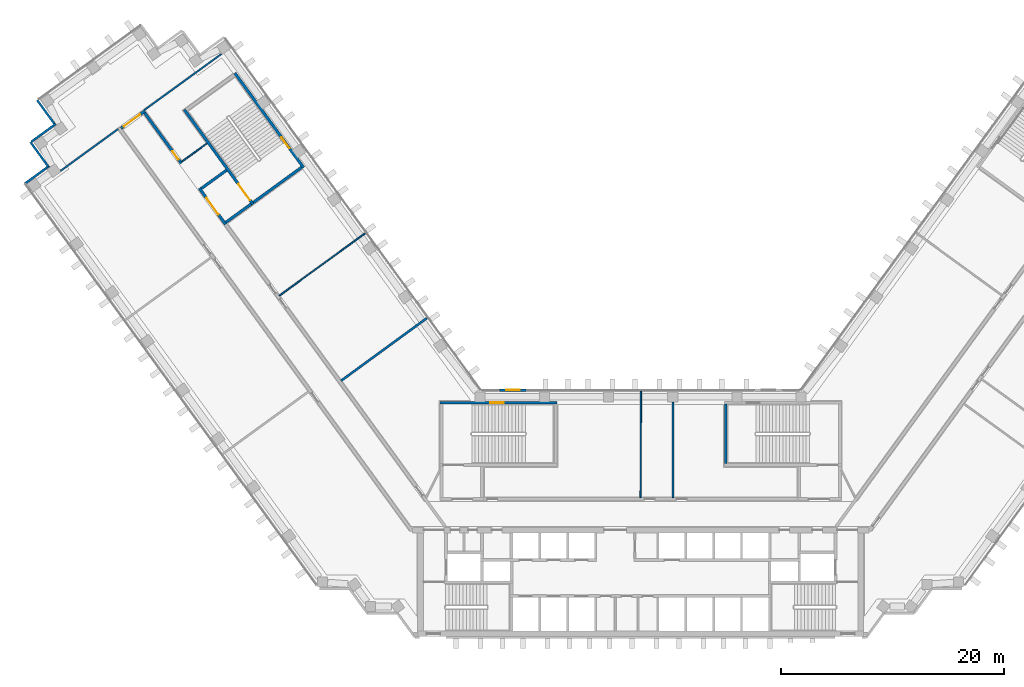
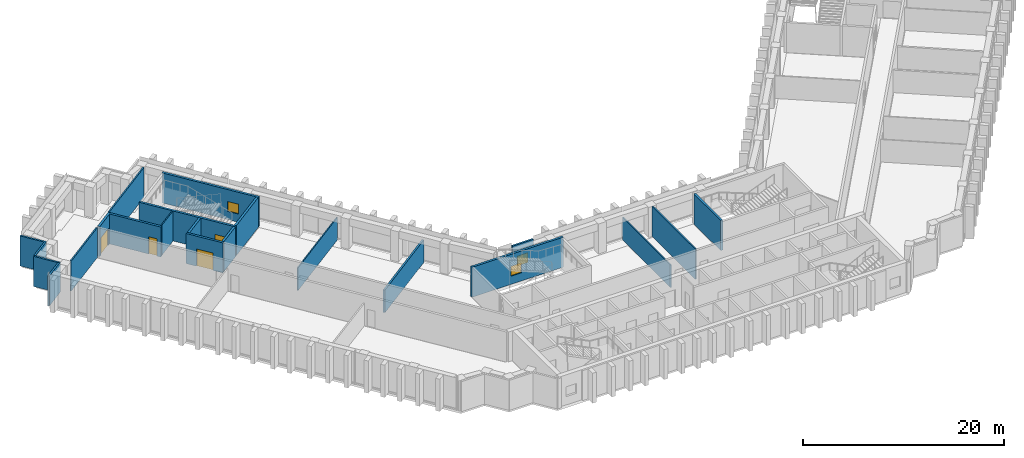
# One storey, part 9 of 15: 22 walls, 4 doors, 3 windows, 7 openings.
"""IFC4 building model written with IfcOpenShell, lengths in metres."""

from ifc_helpers import new_model, si_unit, direction, frame, frame_2d, origin, place, context, subcontext, project, spatial, rectangle, extrude, material, layer, layer_set, type_object, element, fill, save


model = new_model("IFC4")

# Units and contexts
model_context = context("Model", 3, precision=1e-05, world=origin(), true_north=direction((0.0, 1.0)))
body_context = subcontext(model_context, "Body", "Model", "MODEL_VIEW")
ifc_project = project(units=[si_unit("LENGTHUNIT", "METRE"), si_unit("AREAUNIT", "SQUARE_METRE"), si_unit("VOLUMEUNIT", "CUBIC_METRE"), si_unit("PLANEANGLEUNIT", "RADIAN"), si_unit("MASSUNIT", "GRAM", prefix="KILO")], contexts=[model_context])

# Site, building, storey
site_placement = place(None, origin())
site = spatial("IfcSite", under=ifc_project, at=site_placement, CompositionType="ELEMENT")
building_placement = place(site_placement, origin())
building = spatial("IfcBuilding", under=site, at=building_placement, Name="Quipu Civic Tower", CompositionType="ELEMENT")
storey_placement = place(building_placement, frame((0.0, 0.0, 31.0)))
storey = spatial("IfcBuildingStorey", under=building, at=storey_placement, Name="L06", CompositionType="ELEMENT", Elevation=31.0)

# Walls
ifc_material_1 = material(Name="Double gypsum plasterboard with mineral wool")
ifc_layer_1 = layer(ifc_material_1, 0.14990234375)
ifc_layer_set_1 = layer_set([ifc_layer_1], Name="Double gypsum plasterboard with mineral wool")
wall_type_1 = type_object("IfcWallType", Name="Acoustic partition 150 plasterboard", PredefinedType="PARTITIONING", material=ifc_layer_set_1)
wall_1_placement = place(storey_placement, frame((-37.614013671875, 41.2568359375, 0.0), z_axis=(0.0, 0.0, 1.0), x_axis=(-0.808991595707, -0.587820208972, 0.0)))
element("IfcWall", 1, at=wall_1_placement, inside=storey, type_object=wall_type_1, Name="Partition P07", PredefinedType="PARTITIONING", context=body_context, shape_type="SweptSolid", body=[
    extrude(rectangle(XDim=8.550537109375, YDim=0.14990234375, at=frame_2d((4.275390625, 0.0))), origin(), (0.0, 0.0, 1.0), 3.64990234375),
])
wall_2_placement = place(storey_placement, frame((-46.877197265625, 34.52587890625, 0.0), z_axis=(0.0, 0.0, 1.0), x_axis=(-0.808993566199, -0.587817497059, 0.0)))
element("IfcWall", 2, at=wall_2_placement, inside=storey, type_object=wall_type_1, Name="Partition P10", PredefinedType="PARTITIONING", context=body_context, shape_type="SweptSolid", body=[
    extrude(rectangle(XDim=6.39453125, YDim=0.14990234375, at=frame_2d((3.197265625, 0.0))), origin(), (0.0, 0.0, 1.0), 3.64990234375),
])
wall_3_placement = place(storey_placement, frame((2.89892578125, 10.044921875, 0.0), z_axis=(0.0, 0.0, 1.0), x_axis=(0.0, -1.0, 0.0)))
element("IfcWall", 3, at=wall_3_placement, inside=storey, type_object=wall_type_1, Name="Partition P14", PredefinedType="PARTITIONING", context=body_context, shape_type="SweptSolid", body=[
    extrude(rectangle(XDim=8.594970703125, YDim=0.14990234375, at=frame_2d((4.29736328125, 0.0))), origin(), (0.0, 0.0, 1.0), 3.64990234375),
])
ifc_material_2 = material(Name="Fired clay blockwork", Category="masonry")
ifc_layer_2 = layer(ifc_material_2, 0.199951171875)
ifc_layer_set_2 = layer_set([ifc_layer_2], Name="Fired clay blockwork")
wall_type_2 = type_object("IfcWallType", Name="Blockwork wall 200", PredefinedType="SOLIDWALL", material=ifc_layer_set_2)
wall_4_placement = place(storey_placement, frame((-26.882080078125, 11.93994140625, 0.0), z_axis=(0.0, 0.0, 1.0), x_axis=(0.807664588563, 0.589642190131, 0.0)))
element("IfcWall", 4, at=wall_4_placement, inside=storey, type_object=wall_type_2, Name="Partition P08", PredefinedType="SOLIDWALL", context=body_context, shape_type="SweptSolid", body=[
    extrude(rectangle(XDim=9.549560546875, YDim=0.199951171875, at=frame_2d((4.77490234375, 0.0))), origin(), (0.0, 0.0, 1.0), 2.75),
])

# Wall, opening, window
ifc_material_3 = material(Name="Concrete C70/85", Category="concrete")
ifc_layer_3 = layer(ifc_material_3, 0.25)
ifc_layer_set_3 = layer_set([ifc_layer_3], Name="Concrete C70/85")
wall_type_3 = type_object("IfcWallType", Name="Core wall 250", PredefinedType="SHEAR", material=ifc_layer_set_3)
wall_5_placement = place(storey_placement, frame((-18.0, 9.97509765625, 0.0), z_axis=(0.0, 0.0, 1.0), x_axis=(1.0, 0.0, 0.0)))
wall_5 = element("IfcWall", 5, at=wall_5_placement, inside=storey, type_object=wall_type_3, Name="Core wall", PredefinedType="SHEAR", context=body_context, shape_type="SweptSolid", body=[
    extrude(rectangle(XDim=10.5, YDim=0.25, at=frame_2d((5.25, 0.0))), origin(), (0.0, 0.0, 1.0), 3.64990234375),
])
opening_1_placement = place(wall_5_placement, frame((4.5, 0.0, 1.0)))
opening_1 = element("IfcOpeningElement", 6, at=opening_1_placement, cuts=wall_5, Name="Opening SV-3", PredefinedType="OPENING", context=body_context, shape_type="SweptSolid", body=[
    extrude(rectangle(XDim=1.199951171875, YDim=1.199951171875, at=frame_2d((0.60009765625, 0.60009765625))), frame((0.0, 0.135009765625, 0.0), z_axis=(0.0, -1.0, 0.0), x_axis=(1.0, 0.0, 0.0)), (0.0, 0.0, 1.0), 0.27001953125),
])
ifc_material_4 = material(Name="Aluminium louvre", Category="aluminium")
window_type_1 = type_object("IfcWindowType", Name="Stair ventilation louvre 1200 x 1200", PartitioningType="SINGLE_PANEL", PredefinedType="WINDOW", material=ifc_material_4)
window_1_placement = place(opening_1_placement, origin())
window_1 = element("IfcWindow", 7, at=window_1_placement, inside=storey, type_object=window_type_1, Name="Stair ventilation opening", OverallHeight=1.199951171875, OverallWidth=1.199951171875, PartitioningType="SINGLE_PANEL", PredefinedType="WINDOW", context=body_context, shape_type="SweptSolid", body=[
    extrude(rectangle(XDim=1.199951171875, YDim=1.199951171875, at=frame_2d((0.60009765625, 0.60009765625))), frame((0.0, 0.030029296875, 0.0), z_axis=(0.0, -1.0, 0.0), x_axis=(1.0, 0.0, 0.0)), (0.0, 0.0, 1.0), 0.06005859375),
])
fill(opening_1, window_1)

# Wall
wall_6_placement = place(storey_placement, frame((7.625, 4.5, 0.0), z_axis=(0.0, 0.0, 1.0), x_axis=(0.0, 1.0, 0.0)))
element("IfcWall", 8, at=wall_6_placement, inside=storey, type_object=wall_type_3, Name="Core wall", PredefinedType="SHEAR", context=body_context, shape_type="SweptSolid", body=[
    extrude(rectangle(XDim=5.35009765625, YDim=0.25, at=frame_2d((2.675048828125, 0.0))), origin(), (0.0, 0.0, 1.0), 3.64990234375),
])

# Wall, opening, window
wall_7_placement = place(storey_placement, frame((-30.239501953125, 31.06396484375, 0.0), z_axis=(0.0, 0.0, 1.0), x_axis=(-0.587795589702, 0.809009483706, 0.0)))
wall_7 = element("IfcWall", 9, at=wall_7_placement, inside=storey, type_object=wall_type_3, Name="Core wall", PredefinedType="SHEAR", context=body_context, shape_type="SweptSolid", body=[
    extrude(rectangle(XDim=10.5, YDim=0.25, at=frame_2d((5.25, 0.0))), origin(), (0.0, 0.0, 1.0), 3.64990234375),
])
opening_2_placement = place(wall_7_placement, frame((2.14990234375, 0.0, 1.0)))
opening_2 = element("IfcOpeningElement", 10, at=opening_2_placement, cuts=wall_7, Name="Opening SV-6", PredefinedType="OPENING", context=body_context, shape_type="SweptSolid", body=[
    extrude(rectangle(XDim=1.199951171875, YDim=1.199951171875, at=frame_2d((0.60009765625, 0.60009765625))), frame((0.0, 0.135009765625, 0.0), z_axis=(0.0, -1.0, 0.0), x_axis=(1.0, 0.0, 0.0)), (0.0, 0.0, 1.0), 0.27001953125),
])
window_2_placement = place(opening_2_placement, origin())
window_2 = element("IfcWindow", 11, at=window_2_placement, inside=storey, type_object=window_type_1, Name="Stair ventilation opening", OverallHeight=1.199951171875, OverallWidth=1.199951171875, PartitioningType="SINGLE_PANEL", PredefinedType="WINDOW", context=body_context, shape_type="SweptSolid", body=[
    extrude(rectangle(XDim=1.199951171875, YDim=1.199951171875, at=frame_2d((0.60009765625, 0.60009765625))), frame((0.0, 0.030029296875, 0.0), z_axis=(0.0, -1.0, 0.0), x_axis=(1.0, 0.0, 0.0)), (0.0, 0.0, 1.0), 0.06005859375),
])
fill(opening_2, window_2)

# Wall
wall_8_placement = place(storey_placement, frame((-30.414306640625, 31.091796875, 0.0), z_axis=(0.0, 0.0, 1.0), x_axis=(-0.8089984606, -0.587810760999, 0.0)))
element("IfcWall", 12, at=wall_8_placement, inside=storey, type_object=wall_type_3, Name="Core wall", PredefinedType="SHEAR", context=body_context, shape_type="SweptSolid", body=[
    extrude(rectangle(XDim=5.35009765625, YDim=0.25, at=frame_2d((2.675048828125, 0.0))), origin(), (0.0, 0.0, 1.0), 3.64990234375),
])

# Wall, opening, door
wall_9_placement = place(storey_placement, frame((-40.94189453125, 36.26708984375, 0.0), z_axis=(0.0, 0.0, 1.0), x_axis=(0.587795589702, -0.809009483706, 0.0)))
wall_9 = element("IfcWall", 13, at=wall_9_placement, inside=storey, type_object=wall_type_3, Name="Core wall", PredefinedType="SHEAR", context=body_context, shape_type="SweptSolid", body=[
    extrude(rectangle(XDim=10.5, YDim=0.25, at=frame_2d((5.25, 0.0))), origin(), (0.0, 0.0, 1.0), 3.64990234375),
])
opening_3_placement = place(wall_9_placement, frame((8.25, 0.0, 0.0)))
opening_3 = element("IfcOpeningElement", 14, at=opening_3_placement, cuts=wall_9, Name="Opening CD-19", PredefinedType="OPENING", context=body_context, shape_type="SweptSolid", body=[
    extrude(rectangle(XDim=1.800048828125, YDim=2.10009765625, at=frame_2d((0.89990234375, 1.050048828125))), frame((0.0, 0.135009765625, 0.0), z_axis=(0.0, -1.0, 0.0), x_axis=(1.0, 0.0, 0.0)), (0.0, 0.0, 1.0), 0.27001953125),
])
ifc_material_5 = material(Name="Fire rated steel door", Category="steel")
door_type_1 = type_object("IfcDoorType", Name="Fire door FD90 double 1800 x 2100", OperationType="NOTDEFINED", PredefinedType="DOOR", material=ifc_material_5)
door_1_placement = place(opening_3_placement, origin())
door_1 = element("IfcDoor", 15, at=door_1_placement, inside=storey, type_object=door_type_1, Name="Door", OperationType="DOUBLE_DOOR_SINGLE_SWING", OverallHeight=2.10009765625, OverallWidth=1.800048828125, PredefinedType="DOOR", context=body_context, shape_type="SweptSolid", body=[
    extrude(rectangle(XDim=1.800048828125, YDim=2.10009765625, at=frame_2d((0.89990234375, 1.050048828125))), frame((0.0, 0.02490234375, 0.0), z_axis=(0.0, -1.0, 0.0), x_axis=(1.0, 0.0, 0.0)), (0.0, 0.0, 1.0), 0.050048828125),
])
fill(opening_3, door_1)

# Walls
for number, where, z_axis, x_axis, name in (
    (16, (-34.944580078125, 27.800048828125, 0.0), (0.0, 0.0, 1.0), (-0.809041377956, -0.587751689708, 0.0), "Core wall"),
    (17, (-37.14892578125, 30.833984375, 0.0), (0.0, 0.0, 1.0), (-0.808969789945, -0.58785021813, 0.0), "Core wall"),
):
    element("IfcWall", number, at=place(storey_placement, frame(where, z_axis=z_axis, x_axis=x_axis)), inside=storey, type_object=wall_type_3, Name=name, PredefinedType="SHEAR", context=body_context, shape_type="SweptSolid", body=[
        extrude(rectangle(XDim=2.800048828125, YDim=0.25, at=frame_2d((1.39990234375, 0.0))), origin(), (0.0, 0.0, 1.0), 3.64990234375),
    ])

# Wall, opening, door
wall_10_placement = place(storey_placement, frame((-39.588623046875, 29.2158203125, 0.0), z_axis=(0.0, 0.0, 1.0), x_axis=(0.587772420479, -0.809026317077, 0.0)))
wall_10 = element("IfcWall", 18, at=wall_10_placement, inside=storey, type_object=wall_type_3, Name="Core wall", PredefinedType="SHEAR", context=body_context, shape_type="SweptSolid", body=[
    extrude(rectangle(XDim=4.0, YDim=0.25, at=frame_2d((2.0, 0.0))), origin(), (0.0, 0.0, 1.0), 3.64990234375),
])
opening_4_placement = place(wall_10_placement, frame((1.10009765625, 0.0, 0.0)))
opening_4 = element("IfcOpeningElement", 19, at=opening_4_placement, cuts=wall_10, Name="Opening CD-20", PredefinedType="OPENING", context=body_context, shape_type="SweptSolid", body=[
    extrude(rectangle(XDim=1.800048828125, YDim=2.10009765625, at=frame_2d((0.89990234375, 1.050048828125))), frame((0.0, 0.135009765625, 0.0), z_axis=(0.0, -1.0, 0.0), x_axis=(1.0, 0.0, 0.0)), (0.0, 0.0, 1.0), 0.27001953125),
])
door_2_placement = place(opening_4_placement, origin())
door_2 = element("IfcDoor", 20, at=door_2_placement, inside=storey, type_object=door_type_1, Name="Lobby door", OperationType="DOUBLE_DOOR_SINGLE_SWING", OverallHeight=2.10009765625, OverallWidth=1.800048828125, PredefinedType="DOOR", context=body_context, shape_type="SweptSolid", body=[
    extrude(rectangle(XDim=1.800048828125, YDim=2.10009765625, at=frame_2d((0.89990234375, 1.050048828125))), frame((0.0, 0.02490234375, 0.0), z_axis=(0.0, -1.0, 0.0), x_axis=(1.0, 0.0, 0.0)), (0.0, 0.0, 1.0), 0.050048828125),
])
fill(opening_4, door_2)

ifc_material_6 = material(Name="Concrete C50/60", Category="concrete")
ifc_layer_4 = layer(ifc_material_6, 0.25)
ifc_layer_set_4 = layer_set([ifc_layer_4], Name="Concrete C50/60")
wall_type_4 = type_object("IfcWallType", Name="Corridor wall 250 concrete", PredefinedType="SOLIDWALL", material=ifc_layer_set_4)
wall_11_placement = place(storey_placement, frame((-46.613037109375, 34.587890625, 0.0), z_axis=(0.0, 0.0, 1.0), x_axis=(0.808994936898, 0.587815610607, 0.0)))
wall_11 = element("IfcWall", 21, at=wall_11_placement, inside=storey, type_object=wall_type_4, Name="Corridor wall C02", PredefinedType="SOLIDWALL", context=body_context, shape_type="SweptSolid", body=[
    extrude(rectangle(XDim=2.650146484375, YDim=0.25, at=frame_2d((1.3251953125, 0.0))), origin(), (0.0, 0.0, 1.0), 3.64990234375),
])
opening_5_placement = place(wall_11_placement, frame((0.29931640625, 0.0, 0.0)))
opening_5 = element("IfcOpeningElement", 22, at=opening_5_placement, cuts=wall_11, Name="Opening D020", PredefinedType="OPENING", context=body_context, shape_type="SweptSolid", body=[
    extrude(rectangle(XDim=1.800048828125, YDim=2.10009765625, at=frame_2d((0.89990234375, 1.050048828125))), frame((0.0, 0.135009765625, 0.0), z_axis=(0.0, -1.0, 0.0), x_axis=(1.0, 0.0, 0.0)), (0.0, 0.0, 1.0), 0.27001953125),
])
ifc_material_7 = material(Name="Fire rated timber door set with metal frame", Category="wood")
door_type_2 = type_object("IfcDoorType", Name="Double door 1800 x 2100 FD60", OperationType="DOUBLE_DOOR_SINGLE_SWING", PredefinedType="DOOR", material=ifc_material_7)
door_3_placement = place(opening_5_placement, origin())
door_3 = element("IfcDoor", 23, at=door_3_placement, inside=storey, type_object=door_type_2, Name="Door D020", OperationType="DOUBLE_DOOR_SINGLE_SWING", OverallHeight=2.10009765625, OverallWidth=1.800048828125, PredefinedType="DOOR", context=body_context, shape_type="SweptSolid", body=[
    extrude(rectangle(XDim=1.800048828125, YDim=2.10009765625, at=frame_2d((0.89990234375, 1.050048828125))), frame((0.0, 0.02490234375, 0.0), z_axis=(0.0, -1.0, 0.0), x_axis=(1.0, 0.0, 0.0)), (0.0, 0.0, 1.0), 0.050048828125),
])
fill(opening_5, door_3)

wall_12_placement = place(storey_placement, frame((-44.49658203125, 35.97119140625, 0.0), z_axis=(0.0, 0.0, 1.0), x_axis=(0.587742866856, -0.809047787501, 0.0)))
wall_12 = element("IfcWall", 24, at=wall_12_placement, inside=storey, type_object=wall_type_4, Name="Corridor wall C03", PredefinedType="SOLIDWALL", context=body_context, shape_type="SweptSolid", body=[
    extrude(rectangle(XDim=5.58642578125, YDim=0.25, at=frame_2d((2.793212890625, 0.0))), origin(), (0.0, 0.0, 1.0), 3.64990234375),
])
opening_6_placement = place(wall_12_placement, frame((4.2451171875, 0.0, 0.0)))
opening_6 = element("IfcOpeningElement", 25, at=opening_6_placement, cuts=wall_12, Name="Opening D013", PredefinedType="OPENING", context=body_context, shape_type="SweptSolid", body=[
    extrude(rectangle(XDim=0.89990234375, YDim=2.10009765625, at=frame_2d((0.449951171875, 1.050048828125))), frame((0.0, 0.135009765625, 0.0), z_axis=(0.0, -1.0, 0.0), x_axis=(1.0, 0.0, 0.0)), (0.0, 0.0, 1.0), 0.27001953125),
])
ifc_material_8 = material(Name="Fire rated timber door set with metal frame", Category="wood")
door_type_3 = type_object("IfcDoorType", Name="Single door 900 x 2100 FD60", OperationType="NOTDEFINED", PredefinedType="DOOR", material=ifc_material_8)
door_4_placement = place(opening_6_placement, origin())
door_4 = element("IfcDoor", 26, at=door_4_placement, inside=storey, type_object=door_type_3, Name="Door D013", OperationType="SINGLE_SWING_RIGHT", OverallHeight=2.10009765625, OverallWidth=0.89990234375, PredefinedType="DOOR", context=body_context, shape_type="SweptSolid", body=[
    extrude(rectangle(XDim=0.89990234375, YDim=2.10009765625, at=frame_2d((0.449951171875, 1.050048828125))), frame((0.0, 0.02490234375, 0.0), z_axis=(0.0, -1.0, 0.0), x_axis=(1.0, 0.0, 0.0)), (0.0, 0.0, 1.0), 0.050048828125),
])
fill(opening_6, door_4)

# Walls
ifc_material_9 = material(Name="Gypsum plasterboard on light gauge framing")
ifc_layer_5 = layer(ifc_material_9, 0.1201171875)
ifc_layer_set_5 = layer_set([ifc_layer_5], Name="Gypsum plasterboard on light gauge framing")
wall_type_5 = type_object("IfcWallType", Name="Partition 120 plasterboard", PredefinedType="PARTITIONING", material=ifc_layer_set_5)
wall_13_placement = place(storey_placement, frame((-24.61767578125, 25.24169921875, 0.0), z_axis=(0.0, 0.0, 1.0), x_axis=(-0.809002920164, -0.587804623294, 0.0)))
element("IfcWall", 27, at=wall_13_placement, inside=storey, type_object=wall_type_5, Name="Partition P09", PredefinedType="PARTITIONING", context=body_context, shape_type="SweptSolid", body=[
    extrude(rectangle(XDim=9.65087890625, YDim=0.1201171875, at=frame_2d((4.825439453125, 0.0))), origin(), (0.0, 0.0, 1.0), 2.75),
])
wall_14_placement = place(storey_placement, frame((0.022705078125, 11.0, 0.0), z_axis=(0.0, 0.0, 1.0), x_axis=(-0.002377476217, -0.999997173799, 0.0)))
element("IfcWall", 28, at=wall_14_placement, inside=storey, type_object=wall_type_5, Name="Partition P15", PredefinedType="PARTITIONING", context=body_context, shape_type="SweptSolid", body=[
    extrude(rectangle(XDim=9.550048828125, YDim=0.1201171875, at=frame_2d((4.77490234375, 0.0))), origin(), (0.0, 0.0, 1.0), 2.75),
])
wall_15_placement = place(storey_placement, frame((-41.166015625, 31.59912109375, 0.0), z_axis=(0.0, 0.0, 1.0), x_axis=(0.809090262332, 0.587684394381, 0.0)))
element("IfcWall", 29, at=wall_15_placement, inside=storey, type_object=wall_type_5, Name="Partition P16", PredefinedType="PARTITIONING", context=body_context, shape_type="SweptSolid", body=[
    extrude(rectangle(XDim=2.80078125, YDim=0.1201171875, at=frame_2d((1.400390625, 0.0))), origin(), (0.0, 0.0, 1.0), 3.64990234375),
])
ifc_material_10 = material(Name="Precast concrete C40/50", Category="concrete")
wall_type_6 = type_object("IfcWallType", Name="Precast cladding wall", PredefinedType="SOLIDWALL", material=ifc_material_10)
wall_16_placement = place(storey_placement, frame((-52.46533203125, 34.9873046875, 0.0), z_axis=(0.0, 0.0, 1.0), x_axis=(-0.809033161865, -0.587762999008, 0.0)))
element("IfcWall", 30, at=wall_16_placement, inside=storey, type_object=wall_type_6, Name="Precast cladding wall L06 1", PredefinedType="SOLIDWALL", context=body_context, shape_type="SweptSolid", body=[
    extrude(rectangle(XDim=2.699951171875, YDim=0.199951171875, at=frame_2d((1.35009765625, 0.0))), origin(), (0.0, 0.0, 1.0), 3.64990234375),
])
wall_17_placement = place(storey_placement, frame((-54.73779296875, 33.351318359375, 0.0), z_axis=(0.0, 0.0, 1.0), x_axis=(0.587779184282, -0.809021403008, 0.0)))
element("IfcWall", 31, at=wall_17_placement, inside=storey, type_object=wall_type_6, Name="Precast cladding wall L06 2", PredefinedType="SOLIDWALL", context=body_context, shape_type="SweptSolid", body=[
    extrude(rectangle(XDim=2.7001953125, YDim=0.199951171875, at=frame_2d((1.35009765625, 0.0))), origin(), (0.0, 0.0, 1.0), 3.64990234375),
])
wall_18_placement = place(storey_placement, frame((-53.062744140625, 31.2158203125, 0.0), z_axis=(0.0, 0.0, 1.0), x_axis=(-0.809033161865, -0.587762999008, 0.0)))
element("IfcWall", 32, at=wall_18_placement, inside=storey, type_object=wall_type_6, Name="Precast cladding wall L06 3", PredefinedType="SOLIDWALL", context=body_context, shape_type="SweptSolid", body=[
    extrude(rectangle(XDim=2.699951171875, YDim=0.199951171875, at=frame_2d((1.35009765625, 0.0))), origin(), (0.0, 0.0, 1.0), 3.64990234375),
])

# Wall, opening, window
wall_19_placement = place(storey_placement, frame((-10.263427734375, 11.10009765625, 0.0), z_axis=(0.0, 0.0, 1.0), x_axis=(-1.0, 0.0, 0.0)))
wall_19 = element("IfcWall", 33, at=wall_19_placement, inside=storey, type_object=wall_type_6, Name="Vent surround SF-L06-1", PredefinedType="SOLIDWALL", context=body_context, shape_type="SweptSolid", body=[
    extrude(rectangle(XDim=2.3916015625, YDim=0.199951171875, at=frame_2d((1.19580078125, 0.0))), origin(), (0.0, 0.0, 1.0), 3.64990234375),
])
opening_7_placement = place(wall_19_placement, frame((0.595703125, 0.0, 1.0)))
opening_7 = element("IfcOpeningElement", 34, at=opening_7_placement, cuts=wall_19, Name="Opening SF-L06-1", PredefinedType="OPENING", context=body_context, shape_type="SweptSolid", body=[
    extrude(rectangle(XDim=1.199951171875, YDim=1.199951171875, at=frame_2d((0.60009765625, 0.60009765625))), frame((0.0, 0.10986328125, 0.0), z_axis=(0.0, -1.0, 0.0), x_axis=(1.0, 0.0, 0.0)), (0.0, 0.0, 1.0), 0.219970703125),
])
ifc_material_11 = material(Name="Anodised aluminium louvre", Category="aluminium")
window_type_2 = type_object("IfcWindowType", Name="Stair vent louvre window P3", PartitioningType="SINGLE_PANEL", PredefinedType="WINDOW", material=ifc_material_11)
window_3_placement = place(opening_7_placement, origin())
window_3 = element("IfcWindow", 35, at=window_3_placement, inside=storey, type_object=window_type_2, Name="Stair vent louvre SF-L06-1", OverallHeight=1.199951171875, OverallWidth=1.199951171875, PartitioningType="SINGLE_PANEL", PredefinedType="WINDOW", context=body_context, shape_type="SweptSolid", body=[
    extrude(rectangle(XDim=1.199951171875, YDim=1.199951171875, at=frame_2d((0.60009765625, 0.60009765625))), frame((0.0, 0.030029296875, 0.0), z_axis=(0.0, -1.0, 0.0), x_axis=(1.0, 0.0, 0.0)), (0.0, 0.0, 1.0), 0.06005859375),
])
fill(opening_7, window_3)

# Wall
wall_20_placement = place(storey_placement, frame((-54.140380859375, 37.12255859375, 0.0), z_axis=(0.0, 0.0, 1.0), x_axis=(0.587822180636, -0.808990163075, 0.0)))
element("IfcWall", 36, at=wall_20_placement, inside=storey, type_object=wall_type_6, Name="Precast cladding wall L06 38", PredefinedType="SOLIDWALL", context=body_context, shape_type="SweptSolid", body=[
    extrude(rectangle(XDim=2.699951171875, YDim=0.199951171875, at=frame_2d((1.35009765625, 0.0))), origin(), (0.0, 0.0, 1.0), 3.64990234375),
])

save(model, "model.ifc")
